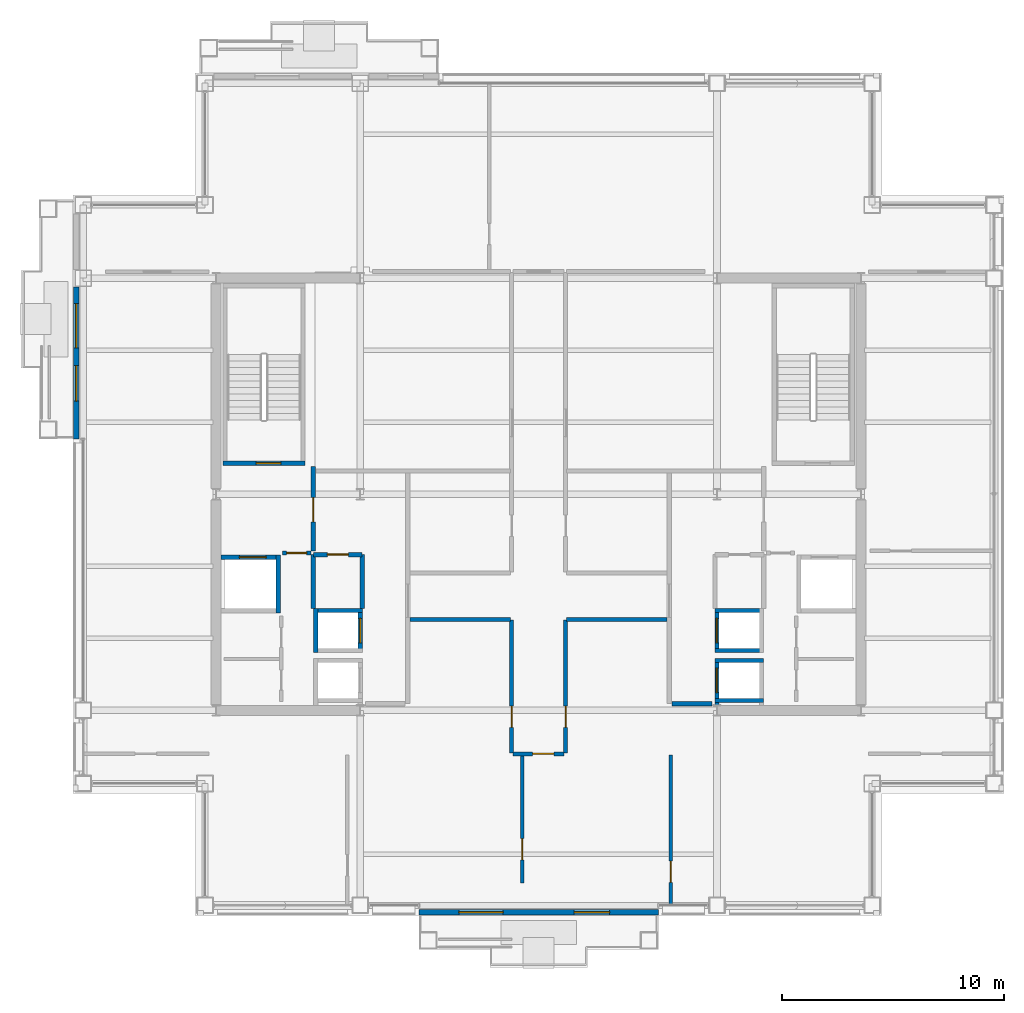
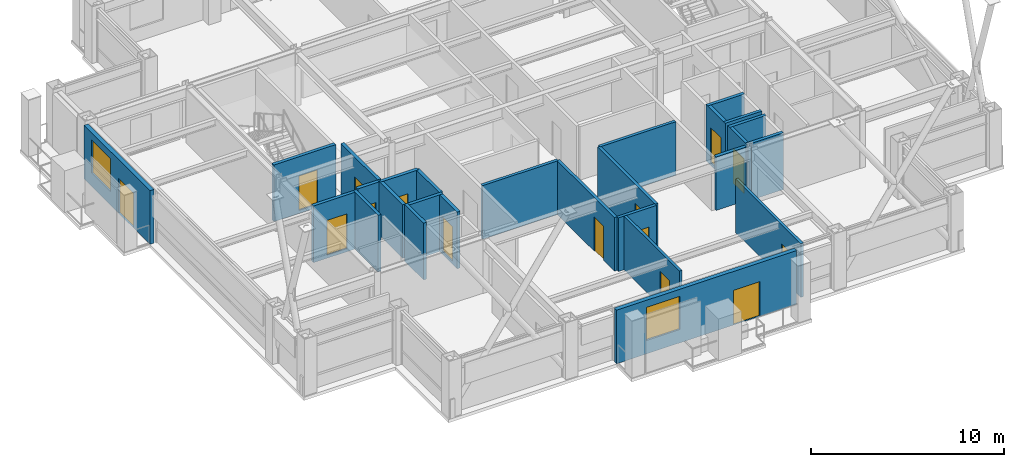
# One storey, part 27 of 32: 27 walls, 15 doors, 2 windows, 17 openings.
"""IFC4 building model written with IfcOpenShell, lengths in metres."""

from ifc_helpers import new_model, si_unit, direction, frame, frame_2d, origin, place, context, subcontext, project, spatial, rectangle, extrude, material, layer, layer_set, type_object, element, fill, save


model = new_model("IFC4")

# Units and contexts
model_context = context("Model", 3, precision=1e-05, world=origin(), true_north=direction((0.0, 1.0)))
body_context = subcontext(model_context, "Body", "Model", "MODEL_VIEW")
ifc_project = project(units=[si_unit("LENGTHUNIT", "METRE"), si_unit("AREAUNIT", "SQUARE_METRE"), si_unit("VOLUMEUNIT", "CUBIC_METRE"), si_unit("PLANEANGLEUNIT", "RADIAN"), si_unit("MASSUNIT", "GRAM", prefix="KILO")], contexts=[model_context])

# Site, building, storey
site_placement = place(None, origin())
site = spatial("IfcSite", under=ifc_project, at=site_placement, CompositionType="ELEMENT")
building_placement = place(site_placement, origin())
building = spatial("IfcBuilding", under=site, at=building_placement, Name="Brelmoor Portico Tower", CompositionType="ELEMENT")
storey_placement = place(building_placement, frame((0.0, 0.0, 162.300048828125)))
storey = spatial("IfcBuildingStorey", under=building, at=storey_placement, Name="L42", CompositionType="ELEMENT", Elevation=162.300048828125)

# Wall, openings, door, window
ifc_material_1 = material(Name="Precast Concrete C40 Insulated Facade Wall", Category="concrete")
ifc_layer_1 = layer(ifc_material_1, 0.25)
ifc_layer_set_1 = layer_set([ifc_layer_1], Name="Precast Concrete C40 Insulated Facade Wall")
wall_type_1 = type_object("IfcWallType", Name="WL-EXT-250", PredefinedType="STANDARD", material=ifc_layer_set_1)
wall_1_placement = place(storey_placement, frame((-5.39990234375, -18.860107421875, 0.0), z_axis=(0.0, 0.0, 1.0), x_axis=(1.0, 0.0, 0.0)))
wall_1 = element("IfcWall", 1, at=wall_1_placement, inside=storey, type_object=wall_type_1, Name="L42 Loggia Threshold Wall S-1", PredefinedType="STANDARD", context=body_context, shape_type="SweptSolid", body=[
    extrude(rectangle(XDim=10.7998046875, YDim=0.25, at=frame_2d((5.39990234375, 0.0))), origin(), (0.0, 0.0, 1.0), 3.39990234375),
])
opening_1_placement = place(wall_1_placement, frame((7.0, 0.0, 0.0)))
opening_1 = element("IfcOpeningElement", 2, at=opening_1_placement, cuts=wall_1, Name="Opening D-TB1", PredefinedType="OPENING", context=body_context, shape_type="SweptSolid", body=[
    extrude(rectangle(XDim=1.60009765625, YDim=2.199951171875, at=frame_2d((0.800048828125, 1.10009765625))), frame((0.0, 0.135009765625, 0.0), z_axis=(0.0, -1.0, 0.0), x_axis=(1.0, 0.0, 0.0)), (0.0, 0.0, 1.0), 0.27001953125),
])
opening_2_placement = place(wall_1_placement, frame((1.800048828125, 0.0, 0.85009765625)))
opening_2 = element("IfcOpeningElement", 3, at=opening_2_placement, cuts=wall_1, Name="Opening W-03", PredefinedType="OPENING", context=body_context, shape_type="SweptSolid", body=[
    extrude(rectangle(XDim=2.0, YDim=2.10009765625, at=frame_2d((1.0, 1.050048828125))), frame((0.0, 0.135009765625, 0.0), z_axis=(0.0, -1.0, 0.0), x_axis=(1.0, 0.0, 0.0)), (0.0, 0.0, 1.0), 0.27001953125),
])
ifc_material_2 = material(Name="Double-Leaf Thermally Broken Terrace Door", Category="aluminium")
door_type_1 = type_object("IfcDoorType", Name="DR-BALCONY-1600", OperationType="NOTDEFINED", PredefinedType="DOOR", material=ifc_material_2)
door_1_placement = place(opening_1_placement, origin())
door_1 = element("IfcDoor", 4, at=door_1_placement, inside=storey, type_object=door_type_1, Name="D-1812 L42 Tree Balcony Double Door S", OperationType="DOUBLE_DOOR_SINGLE_SWING", OverallHeight=2.199951171875, OverallWidth=1.60009765625, PredefinedType="DOOR", context=body_context, shape_type="SweptSolid", body=[
    extrude(rectangle(XDim=1.60009765625, YDim=2.199951171875, at=frame_2d((0.800048828125, 1.10009765625))), frame((0.0, 0.02490234375, 0.0), z_axis=(0.0, -1.0, 0.0), x_axis=(1.0, 0.0, 0.0)), (0.0, 0.0, 1.0), 0.050048828125),
])
fill(opening_1, door_1)
ifc_material_3 = material(Name="Thermally Broken Aluminium Low-E Window", Category="aluminium")
window_type = type_object("IfcWindowType", Name="WN-LOGGIA-2000x2100", PartitioningType="SINGLE_PANEL", PredefinedType="WINDOW", material=ifc_material_3)
window_1_placement = place(opening_2_placement, origin())
window_1 = element("IfcWindow", 5, at=window_1_placement, inside=storey, type_object=window_type, Name="L42 Loggia Window S", OverallHeight=2.10009765625, OverallWidth=2.0, PartitioningType="SINGLE_PANEL", PredefinedType="WINDOW", context=body_context, shape_type="SweptSolid", body=[
    extrude(rectangle(XDim=2.0, YDim=2.10009765625, at=frame_2d((1.0, 1.050048828125))), frame((0.0, 0.030029296875, 0.0), z_axis=(0.0, -1.0, 0.0), x_axis=(1.0, 0.0, 0.0)), (0.0, 0.0, 1.0), 0.06005859375),
])
fill(opening_2, window_1)

wall_2_placement = place(storey_placement, frame((-20.860107421875, 2.5, 0.0), z_axis=(0.0, 0.0, 1.0), x_axis=(0.0, 1.0, 0.0)))
wall_2 = element("IfcWall", 6, at=wall_2_placement, inside=storey, type_object=wall_type_1, Name="L42 Loggia Threshold Wall W-1", PredefinedType="STANDARD", context=body_context, shape_type="SweptSolid", body=[
    extrude(rectangle(XDim=6.85498046875, YDim=0.25, at=frame_2d((3.427490234375, 0.0))), origin(), (0.0, 0.0, 1.0), 3.39990234375),
])
opening_3_placement = place(wall_2_placement, frame((1.699951171875, 0.0, 0.0)))
opening_3 = element("IfcOpeningElement", 7, at=opening_3_placement, cuts=wall_2, Name="Opening D-TB1", PredefinedType="OPENING", context=body_context, shape_type="SweptSolid", body=[
    extrude(rectangle(XDim=1.60009765625, YDim=2.199951171875, at=frame_2d((0.800048828125, 1.10009765625))), frame((0.0, 0.135009765625, 0.0), z_axis=(0.0, -1.0, 0.0), x_axis=(1.0, 0.0, 0.0)), (0.0, 0.0, 1.0), 0.27001953125),
])
opening_4_placement = place(wall_2_placement, frame((4.10009765625, 0.0, 0.85009765625)))
opening_4 = element("IfcOpeningElement", 8, at=opening_4_placement, cuts=wall_2, Name="Opening W-03", PredefinedType="OPENING", context=body_context, shape_type="SweptSolid", body=[
    extrude(rectangle(XDim=2.0, YDim=2.10009765625, at=frame_2d((1.0, 1.050048828125))), frame((0.0, 0.135009765625, 0.0), z_axis=(0.0, -1.0, 0.0), x_axis=(1.0, 0.0, 0.0)), (0.0, 0.0, 1.0), 0.27001953125),
])
door_2_placement = place(opening_3_placement, origin())
door_2 = element("IfcDoor", 9, at=door_2_placement, inside=storey, type_object=door_type_1, Name="D-1813 L42 Tree Balcony Double Door W", OperationType="DOUBLE_DOOR_SINGLE_SWING", OverallHeight=2.199951171875, OverallWidth=1.60009765625, PredefinedType="DOOR", context=body_context, shape_type="SweptSolid", body=[
    extrude(rectangle(XDim=1.60009765625, YDim=2.199951171875, at=frame_2d((0.800048828125, 1.10009765625))), frame((0.0, 0.02490234375, 0.0), z_axis=(0.0, -1.0, 0.0), x_axis=(1.0, 0.0, 0.0)), (0.0, 0.0, 1.0), 0.050048828125),
])
fill(opening_3, door_2)
window_2_placement = place(opening_4_placement, origin())
window_2 = element("IfcWindow", 10, at=window_2_placement, inside=storey, type_object=window_type, Name="L42 Loggia Window W", OverallHeight=2.10009765625, OverallWidth=2.0, PartitioningType="SINGLE_PANEL", PredefinedType="WINDOW", context=body_context, shape_type="SweptSolid", body=[
    extrude(rectangle(XDim=2.0, YDim=2.10009765625, at=frame_2d((1.0, 1.050048828125))), frame((0.0, 0.030029296875, 0.0), z_axis=(0.0, -1.0, 0.0), x_axis=(1.0, 0.0, 0.0)), (0.0, 0.0, 1.0), 0.06005859375),
])
fill(opening_4, window_2)

# Wall, opening, door
ifc_material_4 = material(Name="Twin-Frame Acoustic Partition", Category="gypsum")
ifc_layer_2 = layer(ifc_material_4, 0.159912109375)
ifc_layer_set_2 = layer_set([ifc_layer_2], Name="Twin-Frame Acoustic Partition")
wall_type_2 = type_object("IfcWallType", Name="WL-PART-160", PredefinedType="PARTITIONING", material=ifc_layer_set_2)
wall_3_placement = place(storey_placement, frame((-0.72998046875, -17.550048828125, 0.0), z_axis=(0.0, 0.0, 1.0), x_axis=(0.0, 1.0, 0.0)))
wall_3 = element("IfcWall", 11, at=wall_3_placement, inside=storey, type_object=wall_type_2, Name="L42 South Suite Partition 2", PredefinedType="PARTITIONING", context=body_context, shape_type="SweptSolid", body=[
    extrude(rectangle(XDim=5.780029296875, YDim=0.159912109375, at=frame_2d((2.89013671875, 0.0))), origin(), (0.0, 0.0, 1.0), 3.39990234375),
])
opening_5_placement = place(wall_3_placement, frame((1.050048828125, 0.0, 0.0)))
opening_5 = element("IfcOpeningElement", 12, at=opening_5_placement, cuts=wall_3, Name="Opening D-IN2", PredefinedType="OPENING", context=body_context, shape_type="SweptSolid", body=[
    extrude(rectangle(XDim=0.9599609375, YDim=2.179931640625, at=frame_2d((0.47998046875, 1.08984375))), frame((0.0, 0.08984375, 0.0), z_axis=(0.0, -1.0, 0.0), x_axis=(1.0, 0.0, 0.0)), (0.0, 0.0, 1.0), 0.179931640625),
])
ifc_material_5 = material(Name="Lacquered Timber Suite Door", Category="wood")
door_type_2 = type_object("IfcDoorType", Name="DR-INT-950", OperationType="NOTDEFINED", PredefinedType="DOOR", material=ifc_material_5)
door_3_placement = place(opening_5_placement, origin())
door_3 = element("IfcDoor", 13, at=door_3_placement, inside=storey, type_object=door_type_2, Name="D-1805 L42 South Suite Connecting Door 2", OperationType="SINGLE_SWING_LEFT", OverallHeight=2.179931640625, OverallWidth=0.9599609375, PredefinedType="DOOR", context=body_context, shape_type="SweptSolid", body=[
    extrude(rectangle(XDim=0.9599609375, YDim=2.179931640625, at=frame_2d((0.47998046875, 1.08984375))), frame((0.0, 0.02490234375, 0.0), z_axis=(0.0, -1.0, 0.0), x_axis=(1.0, 0.0, 0.0)), (0.0, 0.0, 1.0), 0.050048828125),
])
fill(opening_5, door_3)

wall_4_placement = place(storey_placement, frame((5.969970703125, -18.56005859375, 0.0), z_axis=(0.0, 0.0, 1.0), x_axis=(0.0, 1.0, 0.0)))
wall_4 = element("IfcWall", 14, at=wall_4_placement, inside=storey, type_object=wall_type_2, Name="L42 South Suite Partition 3", PredefinedType="PARTITIONING", context=body_context, shape_type="SweptSolid", body=[
    extrude(rectangle(XDim=6.7900390625, YDim=0.159912109375, at=frame_2d((3.39501953125, 0.0))), origin(), (0.0, 0.0, 1.0), 3.39990234375),
])
opening_6_placement = place(wall_4_placement, frame((1.050048828125, 0.0, 0.0)))
opening_6 = element("IfcOpeningElement", 15, at=opening_6_placement, cuts=wall_4, Name="Opening D-IN2", PredefinedType="OPENING", context=body_context, shape_type="SweptSolid", body=[
    extrude(rectangle(XDim=0.9599609375, YDim=2.179931640625, at=frame_2d((0.47998046875, 1.08984375))), frame((0.0, 0.08984375, 0.0), z_axis=(0.0, -1.0, 0.0), x_axis=(1.0, 0.0, 0.0)), (0.0, 0.0, 1.0), 0.179931640625),
])
door_4_placement = place(opening_6_placement, origin())
door_4 = element("IfcDoor", 16, at=door_4_placement, inside=storey, type_object=door_type_2, Name="D-1806 L42 South Suite Connecting Door 3", OperationType="SINGLE_SWING_RIGHT", OverallHeight=2.179931640625, OverallWidth=0.9599609375, PredefinedType="DOOR", context=body_context, shape_type="SweptSolid", body=[
    extrude(rectangle(XDim=0.9599609375, YDim=2.179931640625, at=frame_2d((0.47998046875, 1.08984375))), frame((0.0, 0.02490234375, 0.0), z_axis=(0.0, -1.0, 0.0), x_axis=(1.0, 0.0, 0.0)), (0.0, 0.0, 1.0), 0.050048828125),
])
fill(opening_6, door_4)

ifc_material_6 = material(Name="Acoustic Corridor Fire Partition", Category="gypsum")
ifc_layer_3 = layer(ifc_material_6, 0.179931640625)
ifc_layer_set_3 = layer_set([ifc_layer_3], Name="Acoustic Corridor Fire Partition")
wall_type_3 = type_object("IfcWallType", Name="WL-PART-180", PredefinedType="PARTITIONING", material=ifc_layer_set_3)
wall_5_placement = place(storey_placement, frame((-1.219970703125, -11.669921875, 0.0), z_axis=(0.0, 0.0, 1.0), x_axis=(0.0, 1.0, 0.0)))
wall_5 = element("IfcWall", 17, at=wall_5_placement, inside=storey, type_object=wall_type_3, Name="L42 South Cross West Wall", PredefinedType="PARTITIONING", context=body_context, shape_type="SweptSolid", body=[
    extrude(rectangle(XDim=5.989990234375, YDim=0.179931640625, at=frame_2d((2.9951171875, 0.0))), origin(), (0.0, 0.0, 1.0), 3.39990234375),
])
opening_7_placement = place(wall_5_placement, frame((1.14990234375, 0.0, 0.0)))
opening_7 = element("IfcOpeningElement", 18, at=opening_7_placement, cuts=wall_5, Name="Opening D-IN2", PredefinedType="OPENING", context=body_context, shape_type="SweptSolid", body=[
    extrude(rectangle(XDim=0.9599609375, YDim=2.179931640625, at=frame_2d((0.47998046875, 1.08984375))), frame((0.0, 0.099853515625, 0.0), z_axis=(0.0, -1.0, 0.0), x_axis=(1.0, 0.0, 0.0)), (0.0, 0.0, 1.0), 0.199951171875),
])
door_5_placement = place(opening_7_placement, origin())
door_5 = element("IfcDoor", 19, at=door_5_placement, inside=storey, type_object=door_type_2, Name="D-1784 L42 South-West Archive Room Door", OperationType="SINGLE_SWING_RIGHT", OverallHeight=2.179931640625, OverallWidth=0.9599609375, PredefinedType="DOOR", context=body_context, shape_type="SweptSolid", body=[
    extrude(rectangle(XDim=0.9599609375, YDim=2.179931640625, at=frame_2d((0.47998046875, 1.08984375))), frame((0.0, 0.02490234375, 0.0), z_axis=(0.0, -1.0, 0.0), x_axis=(1.0, 0.0, 0.0)), (0.0, 0.0, 1.0), 0.050048828125),
])
fill(opening_7, door_5)

wall_6_placement = place(storey_placement, frame((1.219970703125, -11.669921875, 0.0), z_axis=(0.0, 0.0, 1.0), x_axis=(0.0, 1.0, 0.0)))
wall_6 = element("IfcWall", 20, at=wall_6_placement, inside=storey, type_object=wall_type_3, Name="L42 South Cross East Wall", PredefinedType="PARTITIONING", context=body_context, shape_type="SweptSolid", body=[
    extrude(rectangle(XDim=5.989990234375, YDim=0.179931640625, at=frame_2d((2.9951171875, 0.0))), origin(), (0.0, 0.0, 1.0), 3.39990234375),
])
opening_8_placement = place(wall_6_placement, frame((1.14990234375, 0.0, 0.0)))
opening_8 = element("IfcOpeningElement", 21, at=opening_8_placement, cuts=wall_6, Name="Opening D-IN2", PredefinedType="OPENING", context=body_context, shape_type="SweptSolid", body=[
    extrude(rectangle(XDim=0.9599609375, YDim=2.179931640625, at=frame_2d((0.47998046875, 1.08984375))), frame((0.0, 0.099853515625, 0.0), z_axis=(0.0, -1.0, 0.0), x_axis=(1.0, 0.0, 0.0)), (0.0, 0.0, 1.0), 0.199951171875),
])
door_6_placement = place(opening_8_placement, origin())
door_6 = element("IfcDoor", 22, at=door_6_placement, inside=storey, type_object=door_type_2, Name="D-1783 L42 South-East Partner Office Door", OperationType="SINGLE_SWING_LEFT", OverallHeight=2.179931640625, OverallWidth=0.9599609375, PredefinedType="DOOR", context=body_context, shape_type="SweptSolid", body=[
    extrude(rectangle(XDim=0.9599609375, YDim=2.179931640625, at=frame_2d((0.47998046875, 1.08984375))), frame((0.0, 0.02490234375, 0.0), z_axis=(0.0, -1.0, 0.0), x_axis=(1.0, 0.0, 0.0)), (0.0, 0.0, 1.0), 0.050048828125),
])
fill(opening_8, door_6)

# Walls
for number, where, z_axis, x_axis, name in (
    (23, (-5.800048828125, -5.64990234375, 0.0), (0.0, 0.0, 1.0), (1.0, 0.0, 0.0), "L42 South-West Chamber Top Wall"),
    (24, (1.260009765625, -5.64990234375, 0.0), (0.0, 0.0, 1.0), (1.0, 0.0, 0.0), "L42 South-East Chamber Top Wall"),
):
    element("IfcWall", number, at=place(storey_placement, frame(where, z_axis=z_axis, x_axis=x_axis)), inside=storey, type_object=wall_type_3, Name=name, PredefinedType="PARTITIONING", context=body_context, shape_type="SweptSolid", body=[
        extrude(rectangle(XDim=4.5400390625, YDim=0.179931640625, at=frame_2d((2.27001953125, 0.0))), origin(), (0.0, 0.0, 1.0), 3.39990234375),
    ])

# Wall, opening, door
wall_7_placement = place(storey_placement, frame((-1.14990234375, -11.7099609375, 0.0), z_axis=(0.0, 0.0, 1.0), x_axis=(1.0, 0.0, 0.0)))
wall_7 = element("IfcWall", 25, at=wall_7_placement, inside=storey, type_object=wall_type_3, Name="L42 South Corridor Partition", PredefinedType="PARTITIONING", context=body_context, shape_type="SweptSolid", body=[
    extrude(rectangle(XDim=2.2998046875, YDim=0.179931640625, at=frame_2d((1.14990234375, 0.0))), origin(), (0.0, 0.0, 1.0), 3.39990234375),
])
opening_9_placement = place(wall_7_placement, frame((0.8798828125, 0.0, 0.0)))
opening_9 = element("IfcOpeningElement", 26, at=opening_9_placement, cuts=wall_7, Name="Opening D-IN2", PredefinedType="OPENING", context=body_context, shape_type="SweptSolid", body=[
    extrude(rectangle(XDim=0.9599609375, YDim=2.179931640625, at=frame_2d((0.47998046875, 1.08984375))), frame((0.0, 0.099853515625, 0.0), z_axis=(0.0, -1.0, 0.0), x_axis=(1.0, 0.0, 0.0)), (0.0, 0.0, 1.0), 0.199951171875),
])
door_7_placement = place(opening_9_placement, origin())
door_7 = element("IfcDoor", 27, at=door_7_placement, inside=storey, type_object=door_type_2, Name="D-1803 L42 South Reading Library 3 Door", OperationType="SINGLE_SWING_LEFT", OverallHeight=2.179931640625, OverallWidth=0.9599609375, PredefinedType="DOOR", context=body_context, shape_type="SweptSolid", body=[
    extrude(rectangle(XDim=0.9599609375, YDim=2.179931640625, at=frame_2d((0.47998046875, 1.08984375))), frame((0.0, 0.02490234375, 0.0), z_axis=(0.0, -1.0, 0.0), x_axis=(1.0, 0.0, 0.0)), (0.0, 0.0, 1.0), 0.050048828125),
])
fill(opening_9, door_7)

ifc_material_7 = material(Name="Double-Stud Gypsum Fire Partition", Category="gypsum")
ifc_layer_4 = layer(ifc_material_7, 0.199951171875)
ifc_layer_set_4 = layer_set([ifc_layer_4], Name="Double-Stud Gypsum Fire Partition")
wall_type_4 = type_object("IfcWallType", Name="WL-PART-200", PredefinedType="PARTITIONING", material=ifc_layer_set_4)
wall_8_placement = place(storey_placement, frame((-10.159912109375, -2.550048828125, 0.0), z_axis=(0.0, 0.0, 1.0), x_axis=(0.0, 1.0, 0.0)))
wall_8 = element("IfcWall", 28, at=wall_8_placement, inside=storey, type_object=wall_type_4, Name="L42 W Firefighting Lobby Wall", PredefinedType="PARTITIONING", context=body_context, shape_type="SweptSolid", body=[
    extrude(rectangle(XDim=3.800048828125, YDim=0.199951171875, at=frame_2d((1.89990234375, 0.0))), origin(), (0.0, 0.0, 1.0), 3.39990234375),
])
opening_10_placement = place(wall_8_placement, frame((1.300048828125, 0.0, 0.0)))
opening_10 = element("IfcOpeningElement", 29, at=opening_10_placement, cuts=wall_8, Name="Opening D-FR1", PredefinedType="OPENING", context=body_context, shape_type="SweptSolid", body=[
    extrude(rectangle(XDim=1.10009765625, YDim=2.14990234375, at=frame_2d((0.550048828125, 1.074951171875))), frame((0.0, 0.10986328125, 0.0), z_axis=(0.0, -1.0, 0.0), x_axis=(1.0, 0.0, 0.0)), (0.0, 0.0, 1.0), 0.219970703125),
])
ifc_material_8 = material(Name="Painted Galvanised Steel Fire Door", Category="steel")
door_type_3 = type_object("IfcDoorType", Name="DR-FIRE-1100", OperationType="NOTDEFINED", PredefinedType="DOOR", material=ifc_material_8)
door_8_placement = place(opening_10_placement, origin())
door_8 = element("IfcDoor", 30, at=door_8_placement, inside=storey, type_object=door_type_3, Name="D-1796 L42 W Firefighting Lobby Door", OperationType="SINGLE_SWING_RIGHT", OverallHeight=2.14990234375, OverallWidth=1.10009765625, PredefinedType="DOOR", context=body_context, shape_type="SweptSolid", body=[
    extrude(rectangle(XDim=1.10009765625, YDim=2.14990234375, at=frame_2d((0.550048828125, 1.074951171875))), frame((0.0, 0.02490234375, 0.0), z_axis=(0.0, -1.0, 0.0), x_axis=(1.0, 0.0, 0.0)), (0.0, 0.0, 1.0), 0.050048828125),
])
fill(opening_10, door_8)

wall_9_placement = place(storey_placement, frame((-10.280029296875, -2.64990234375, 0.0), z_axis=(0.0, 0.0, 1.0), x_axis=(-1.0, 0.0, 0.0)))
wall_9 = element("IfcWall", 31, at=wall_9_placement, inside=storey, type_object=wall_type_4, Name="L42 W Firefighting Lobby South Wall", PredefinedType="PARTITIONING", context=body_context, shape_type="SweptSolid", body=[
    extrude(rectangle(XDim=1.27001953125, YDim=0.199951171875, at=frame_2d((0.635009765625, 0.0))), origin(), (0.0, 0.0, 1.0), 3.39990234375),
])
opening_11_placement = place(wall_9_placement, frame((0.18505859375, 0.0, 0.0)))
opening_11 = element("IfcOpeningElement", 32, at=opening_11_placement, cuts=wall_9, Name="Opening D-IN1", PredefinedType="OPENING", context=body_context, shape_type="SweptSolid", body=[
    extrude(rectangle(XDim=0.89990234375, YDim=2.14990234375, at=frame_2d((0.449951171875, 1.074951171875))), frame((0.0, 0.10986328125, 0.0), z_axis=(0.0, -1.0, 0.0), x_axis=(1.0, 0.0, 0.0)), (0.0, 0.0, 1.0), 0.219970703125),
])
door_type_4 = type_object("IfcDoorType", Name="DR-INT-900", OperationType="NOTDEFINED", PredefinedType="DOOR", material=ifc_material_5)
door_9_placement = place(opening_11_placement, origin())
door_9 = element("IfcDoor", 33, at=door_9_placement, inside=storey, type_object=door_type_4, Name="D-1790 L42 W Core Service Vestibule Door", OperationType="SINGLE_SWING_LEFT", OverallHeight=2.14990234375, OverallWidth=0.89990234375, PredefinedType="DOOR", context=body_context, shape_type="SweptSolid", body=[
    extrude(rectangle(XDim=0.89990234375, YDim=2.14990234375, at=frame_2d((0.449951171875, 1.074951171875))), frame((0.0, 0.02490234375, 0.0), z_axis=(0.0, -1.0, 0.0), x_axis=(1.0, 0.0, 0.0)), (0.0, 0.0, 1.0), 0.050048828125),
])
fill(opening_11, door_9)

wall_10_placement = place(storey_placement, frame((-7.9599609375, -2.719970703125, 0.0), z_axis=(0.0, 0.0, 1.0), x_axis=(-1.0, 0.0, 0.0)))
wall_10 = element("IfcWall", 34, at=wall_10_placement, inside=storey, type_object=wall_type_4, Name="L42 W Electrical Switchgear Closet Wall", PredefinedType="PARTITIONING", context=body_context, shape_type="SweptSolid", body=[
    extrude(rectangle(XDim=2.199951171875, YDim=0.199951171875, at=frame_2d((1.10009765625, 0.0))), origin(), (0.0, 0.0, 1.0), 3.39990234375),
])
opening_12_placement = place(wall_10_placement, frame((0.6201171875, 0.0, 0.0)))
opening_12 = element("IfcOpeningElement", 35, at=opening_12_placement, cuts=wall_10, Name="Opening D-FR4", PredefinedType="OPENING", context=body_context, shape_type="SweptSolid", body=[
    extrude(rectangle(XDim=0.949951171875, YDim=2.10009765625, at=frame_2d((0.47509765625, 1.050048828125))), frame((0.0, 0.10986328125, 0.0), z_axis=(0.0, -1.0, 0.0), x_axis=(1.0, 0.0, 0.0)), (0.0, 0.0, 1.0), 0.219970703125),
])
ifc_material_9 = material(Name="Painted Galvanised Steel Riser Door", Category="steel")
door_type_5 = type_object("IfcDoorType", Name="DR-FIRE-950", OperationType="NOTDEFINED", PredefinedType="DOOR", material=ifc_material_9)
door_10_placement = place(opening_12_placement, origin())
door_10 = element("IfcDoor", 36, at=door_10_placement, inside=storey, type_object=door_type_5, Name="D-1794 L42 W Electrical Switchgear Closet Door", OperationType="SINGLE_SWING_RIGHT", OverallHeight=2.10009765625, OverallWidth=0.949951171875, PredefinedType="DOOR", context=body_context, shape_type="SweptSolid", body=[
    extrude(rectangle(XDim=0.949951171875, YDim=2.10009765625, at=frame_2d((0.47509765625, 1.050048828125))), frame((0.0, 0.02490234375, 0.0), z_axis=(0.0, -1.0, 0.0), x_axis=(1.0, 0.0, 0.0)), (0.0, 0.0, 1.0), 0.050048828125),
])
fill(opening_12, door_10)

# Walls
for number, where, z_axis, x_axis, name in (
    (37, (-7.9599609375, -5.159912109375, 0.0), (0.0, 0.0, 1.0), (0.0, 1.0, 0.0), "L42 W Electrical Switchgear Closet Inner Wall"),
    (38, (-10.159912109375, -5.159912109375, 0.0), (0.0, 0.0, 1.0), (0.0, 1.0, 0.0), "L42 W Electrical Switchgear Closet Outer Wall"),
):
    element("IfcWall", number, at=place(storey_placement, frame(where, z_axis=z_axis, x_axis=x_axis)), inside=storey, type_object=wall_type_4, Name=name, PredefinedType="PARTITIONING", context=body_context, shape_type="SweptSolid", body=[
        extrude(rectangle(XDim=2.43994140625, YDim=0.199951171875, at=frame_2d((1.219970703125, 0.0))), origin(), (0.0, 0.0, 1.0), 3.39990234375),
    ])
wall_11_placement = place(storey_placement, frame((6.02001953125, -9.449951171875, 0.0), z_axis=(0.0, 0.0, 1.0), x_axis=(1.0, 0.0, 0.0)))
element("IfcWall", 39, at=wall_11_placement, inside=storey, type_object=wall_type_4, Name="L42 E Lift Lobby South End Wall", PredefinedType="PARTITIONING", context=body_context, shape_type="SweptSolid", body=[
    extrude(rectangle(XDim=1.800048828125, YDim=0.199951171875, at=frame_2d((0.89990234375, 0.0))), origin(), (0.0, 0.0, 1.0), 3.39990234375),
])

# Wall, opening, door
ifc_material_10 = material(Name="Precast Concrete C40", Category="concrete")
ifc_layer_5 = layer(ifc_material_10, 0.18994140625)
ifc_layer_set_5 = layer_set([ifc_layer_5], Name="Precast Concrete C40")
wall_type_5 = type_object("IfcWallType", Name="WL-SHAFT-180", PredefinedType="SOLIDWALL", material=ifc_layer_set_5)
wall_12_placement = place(storey_placement, frame((-8.044921875, -7.14990234375, -0.199951171875), z_axis=(0.0, 0.0, 1.0), x_axis=(0.0, 1.0, 0.0)))
wall_12 = element("IfcWall", 40, at=wall_12_placement, inside=storey, type_object=wall_type_5, Name="L42 Lift PH2 Hoistway Front Wall", PredefinedType="SOLIDWALL", context=body_context, shape_type="SweptSolid", body=[
    extrude(rectangle(XDim=2.0, YDim=0.18994140625, at=frame_2d((1.0, 0.0))), origin(), (0.0, 0.0, 1.0), 3.599853515625),
])
opening_13_placement = place(wall_12_placement, frame((0.449951171875, 0.0, 0.199951171875)))
opening_13 = element("IfcOpeningElement", 41, at=opening_13_placement, cuts=wall_12, Name="Opening LD-01", PredefinedType="OPENING", context=body_context, shape_type="SweptSolid", body=[
    extrude(rectangle(XDim=1.10009765625, YDim=2.199951171875, at=frame_2d((0.550048828125, 1.10009765625))), frame((0.0, 0.10498046875, 0.0), z_axis=(0.0, -1.0, 0.0), x_axis=(1.0, 0.0, 0.0)), (0.0, 0.0, 1.0), 0.2099609375),
])
ifc_material_11 = material(Name="Brushed Stainless Steel Sliding Lift Door", Category="steel")
door_type_6 = type_object("IfcDoorType", Name="DR-LIFT-1100", OperationType="NOTDEFINED", PredefinedType="DOOR", material=ifc_material_11)
door_11_placement = place(opening_13_placement, origin())
door_11 = element("IfcDoor", 42, at=door_11_placement, inside=storey, type_object=door_type_6, Name="D-1818 L42 Lift PH2 Sliding Landing Door", OperationType="SLIDING_TO_LEFT", OverallHeight=2.199951171875, OverallWidth=1.10009765625, PredefinedType="DOOR", context=body_context, shape_type="SweptSolid", body=[
    extrude(rectangle(XDim=1.10009765625, YDim=2.199951171875, at=frame_2d((0.550048828125, 1.10009765625))), frame((0.0, 0.02490234375, 0.0), z_axis=(0.0, -1.0, 0.0), x_axis=(1.0, 0.0, 0.0)), (0.0, 0.0, 1.0), 0.050048828125),
])
fill(opening_13, door_11)

# Walls
wall_13_placement = place(storey_placement, frame((-10.054931640625, -7.14990234375, -0.199951171875), z_axis=(0.0, 0.0, 1.0), x_axis=(0.0, 1.0, 0.0)))
element("IfcWall", 43, at=wall_13_placement, inside=storey, type_object=wall_type_5, Name="L42 Lift PH2 Hoistway Back Wall", PredefinedType="SOLIDWALL", context=body_context, shape_type="SweptSolid", body=[
    extrude(rectangle(XDim=2.0, YDim=0.18994140625, at=frame_2d((1.0, 0.0))), origin(), (0.0, 0.0, 1.0), 3.599853515625),
])
wall_14_placement = place(storey_placement, frame((-10.14990234375, -5.2451171875, -0.199951171875), z_axis=(0.0, 0.0, 1.0), x_axis=(1.0, 0.0, 0.0)))
element("IfcWall", 44, at=wall_14_placement, inside=storey, type_object=wall_type_5, Name="L42 Lift PH2 Hoistway North Wall", PredefinedType="SOLIDWALL", context=body_context, shape_type="SweptSolid", body=[
    extrude(rectangle(XDim=2.199951171875, YDim=0.18994140625, at=frame_2d((1.10009765625, 0.0))), origin(), (0.0, 0.0, 1.0), 3.599853515625),
])

# Wall, opening, door
wall_15_placement = place(storey_placement, frame((8.044921875, -9.52001953125, -0.199951171875), z_axis=(0.0, 0.0, 1.0), x_axis=(0.0, 1.0, 0.0)))
wall_15 = element("IfcWall", 45, at=wall_15_placement, inside=storey, type_object=wall_type_5, Name="L42 Lift PH3 Hoistway Front Wall", PredefinedType="SOLIDWALL", context=body_context, shape_type="SweptSolid", body=[
    extrude(rectangle(XDim=2.1201171875, YDim=0.18994140625, at=frame_2d((1.06005859375, 0.0))), origin(), (0.0, 0.0, 1.0), 3.599853515625),
])
opening_14_placement = place(wall_15_placement, frame((0.570068359375, 0.0, 0.199951171875)))
opening_14 = element("IfcOpeningElement", 46, at=opening_14_placement, cuts=wall_15, Name="Opening LD-01", PredefinedType="OPENING", context=body_context, shape_type="SweptSolid", body=[
    extrude(rectangle(XDim=1.10009765625, YDim=2.199951171875, at=frame_2d((0.550048828125, 1.10009765625))), frame((0.0, 0.10498046875, 0.0), z_axis=(0.0, -1.0, 0.0), x_axis=(1.0, 0.0, 0.0)), (0.0, 0.0, 1.0), 0.2099609375),
])
door_12_placement = place(opening_14_placement, origin())
door_12 = element("IfcDoor", 47, at=door_12_placement, inside=storey, type_object=door_type_6, Name="D-1819 L42 Lift PH3 Sliding Landing Door", OperationType="SLIDING_TO_LEFT", OverallHeight=2.199951171875, OverallWidth=1.10009765625, PredefinedType="DOOR", context=body_context, shape_type="SweptSolid", body=[
    extrude(rectangle(XDim=1.10009765625, YDim=2.199951171875, at=frame_2d((0.550048828125, 1.10009765625))), frame((0.0, 0.02490234375, 0.0), z_axis=(0.0, -1.0, 0.0), x_axis=(1.0, 0.0, 0.0)), (0.0, 0.0, 1.0), 0.050048828125),
])
fill(opening_14, door_12)

# Walls
for number, where, z_axis, x_axis, name in (
    (48, (7.949951171875, -7.4951171875, -0.199951171875), (0.0, 0.0, 1.0), (1.0, 0.0, 0.0), "L42 Lift PH3 Hoistway North Wall"),
    (49, (7.949951171875, -9.304931640625, -0.199951171875), (0.0, 0.0, 1.0), (1.0, 0.0, 0.0), "L42 Lift PH3 Hoistway South Wall"),
):
    element("IfcWall", number, at=place(storey_placement, frame(where, z_axis=z_axis, x_axis=x_axis)), inside=storey, type_object=wall_type_5, Name=name, PredefinedType="SOLIDWALL", context=body_context, shape_type="SweptSolid", body=[
        extrude(rectangle(XDim=2.199951171875, YDim=0.18994140625, at=frame_2d((1.10009765625, 0.0))), origin(), (0.0, 0.0, 1.0), 3.599853515625),
    ])

# Wall, opening, door
wall_16_placement = place(storey_placement, frame((8.044921875, -7.14990234375, -0.199951171875), z_axis=(0.0, 0.0, 1.0), x_axis=(0.0, 1.0, 0.0)))
wall_16 = element("IfcWall", 50, at=wall_16_placement, inside=storey, type_object=wall_type_5, Name="L42 Lift PH4 Hoistway Front Wall", PredefinedType="SOLIDWALL", context=body_context, shape_type="SweptSolid", body=[
    extrude(rectangle(XDim=2.0, YDim=0.18994140625, at=frame_2d((1.0, 0.0))), origin(), (0.0, 0.0, 1.0), 3.599853515625),
])
opening_15_placement = place(wall_16_placement, frame((0.449951171875, 0.0, 0.199951171875)))
opening_15 = element("IfcOpeningElement", 51, at=opening_15_placement, cuts=wall_16, Name="Opening LD-01", PredefinedType="OPENING", context=body_context, shape_type="SweptSolid", body=[
    extrude(rectangle(XDim=1.10009765625, YDim=2.199951171875, at=frame_2d((0.550048828125, 1.10009765625))), frame((0.0, 0.10498046875, 0.0), z_axis=(0.0, -1.0, 0.0), x_axis=(1.0, 0.0, 0.0)), (0.0, 0.0, 1.0), 0.2099609375),
])
door_13_placement = place(opening_15_placement, origin())
door_13 = element("IfcDoor", 52, at=door_13_placement, inside=storey, type_object=door_type_6, Name="D-1820 L42 Lift PH4 Sliding Landing Door", OperationType="SLIDING_TO_LEFT", OverallHeight=2.199951171875, OverallWidth=1.10009765625, PredefinedType="DOOR", context=body_context, shape_type="SweptSolid", body=[
    extrude(rectangle(XDim=1.10009765625, YDim=2.199951171875, at=frame_2d((0.550048828125, 1.10009765625))), frame((0.0, 0.02490234375, 0.0), z_axis=(0.0, -1.0, 0.0), x_axis=(1.0, 0.0, 0.0)), (0.0, 0.0, 1.0), 0.050048828125),
])
fill(opening_15, door_13)

# Walls
for number, where, z_axis, x_axis, name in (
    (53, (7.949951171875, -5.2451171875, -0.199951171875), (0.0, 0.0, 1.0), (1.0, 0.0, 0.0), "L42 Lift PH4 Hoistway North Wall"),
    (54, (7.949951171875, -7.054931640625, -0.199951171875), (0.0, 0.0, 1.0), (1.0, 0.0, 0.0), "L42 Lift PH4 Hoistway South Wall"),
):
    element("IfcWall", number, at=place(storey_placement, frame(where, z_axis=z_axis, x_axis=x_axis)), inside=storey, type_object=wall_type_5, Name=name, PredefinedType="SOLIDWALL", context=body_context, shape_type="SweptSolid", body=[
        extrude(rectangle(XDim=2.199951171875, YDim=0.18994140625, at=frame_2d((1.10009765625, 0.0))), origin(), (0.0, 0.0, 1.0), 3.599853515625),
    ])

# Wall, opening, door
wall_17_placement = place(storey_placement, frame((-14.330078125, -2.844970703125, -0.199951171875), z_axis=(0.0, 0.0, 1.0), x_axis=(1.0, 0.0, 0.0)))
wall_17 = element("IfcWall", 55, at=wall_17_placement, inside=storey, type_object=wall_type_5, Name="L42 Lift FF1 Hoistway Front Wall", PredefinedType="SOLIDWALL", context=body_context, shape_type="SweptSolid", body=[
    extrude(rectangle(XDim=2.68017578125, YDim=0.18994140625, at=frame_2d((1.340087890625, 0.0))), origin(), (0.0, 0.0, 1.0), 3.599853515625),
])
opening_16_placement = place(wall_17_placement, frame((0.830078125, 0.0, 0.199951171875)))
opening_16 = element("IfcOpeningElement", 56, at=opening_16_placement, cuts=wall_17, Name="Opening LD-02", PredefinedType="OPENING", context=body_context, shape_type="SweptSolid", body=[
    extrude(rectangle(XDim=1.199951171875, YDim=2.199951171875, at=frame_2d((0.60009765625, 1.10009765625))), frame((0.0, 0.10498046875, 0.0), z_axis=(0.0, -1.0, 0.0), x_axis=(1.0, 0.0, 0.0)), (0.0, 0.0, 1.0), 0.2099609375),
])
ifc_material_12 = material(Name="Brushed Stainless Steel Firefighting Lift Door", Category="steel")
door_type_7 = type_object("IfcDoorType", Name="DR-LIFT-1200", OperationType="NOTDEFINED", PredefinedType="DOOR", material=ifc_material_12)
door_14_placement = place(opening_16_placement, origin())
door_14 = element("IfcDoor", 57, at=door_14_placement, inside=storey, type_object=door_type_7, Name="D-1815 L42 Lift FF1 Sliding Landing Door", OperationType="SLIDING_TO_LEFT", OverallHeight=2.199951171875, OverallWidth=1.199951171875, PredefinedType="DOOR", context=body_context, shape_type="SweptSolid", body=[
    extrude(rectangle(XDim=1.199951171875, YDim=2.199951171875, at=frame_2d((0.60009765625, 1.10009765625))), frame((0.0, 0.02490234375, 0.0), z_axis=(0.0, -1.0, 0.0), x_axis=(1.0, 0.0, 0.0)), (0.0, 0.0, 1.0), 0.050048828125),
])
fill(opening_16, door_14)

# Wall
wall_18_placement = place(storey_placement, frame((-11.7451171875, -5.35009765625, -0.199951171875), z_axis=(0.0, 0.0, 1.0), x_axis=(0.0, 1.0, 0.0)))
element("IfcWall", 58, at=wall_18_placement, inside=storey, type_object=wall_type_5, Name="L42 Firefighting Lift FF1 Inner Wall", PredefinedType="SOLIDWALL", context=body_context, shape_type="SweptSolid", body=[
    extrude(rectangle(XDim=2.60009765625, YDim=0.18994140625, at=frame_2d((1.300048828125, 0.0))), origin(), (0.0, 0.0, 1.0), 3.599853515625),
])

# Wall, opening, door
ifc_material_13 = material(Name="Concrete C40", Category="concrete")
ifc_layer_6 = layer(ifc_material_13, 0.199951171875)
ifc_layer_set_6 = layer_set([ifc_layer_6], Name="Concrete C40")
wall_type_6 = type_object("IfcWallType", Name="WL-SHAFT-RC200", PredefinedType="SOLIDWALL", material=ifc_layer_set_6)
wall_19_placement = place(storey_placement, frame((-14.25, 1.39990234375, -0.199951171875), z_axis=(0.0, 0.0, 1.0), x_axis=(1.0, 0.0, 0.0)))
wall_19 = element("IfcWall", 59, at=wall_19_placement, inside=storey, type_object=wall_type_6, Name="L42 ST-W Structural Stair Wall S", PredefinedType="SOLIDWALL", context=body_context, shape_type="SweptSolid", body=[
    extrude(rectangle(XDim=3.719970703125, YDim=0.199951171875, at=frame_2d((1.85986328125, 0.0))), origin(), (0.0, 0.0, 1.0), 3.599853515625),
])
opening_17_placement = place(wall_19_placement, frame((1.5, 0.0, 0.199951171875)))
opening_17 = element("IfcOpeningElement", 60, at=opening_17_placement, cuts=wall_19, Name="Opening D-ST1", PredefinedType="OPENING", context=body_context, shape_type="SweptSolid", body=[
    extrude(rectangle(XDim=1.1201171875, YDim=2.179931640625, at=frame_2d((0.56005859375, 1.08984375))), frame((0.0, 0.10986328125, 0.0), z_axis=(0.0, -1.0, 0.0), x_axis=(1.0, 0.0, 0.0)), (0.0, 0.0, 1.0), 0.219970703125),
])
door_type_8 = type_object("IfcDoorType", Name="DR-STAIR-1100", OperationType="NOTDEFINED", PredefinedType="DOOR", material=ifc_material_8)
door_15_placement = place(opening_17_placement, origin())
door_15 = element("IfcDoor", 61, at=door_15_placement, inside=storey, type_object=door_type_8, Name="D-1808 L42 ST-W Protected Exit Stair Door", OperationType="SINGLE_SWING_LEFT", OverallHeight=2.179931640625, OverallWidth=1.1201171875, PredefinedType="DOOR", context=body_context, shape_type="SweptSolid", body=[
    extrude(rectangle(XDim=1.1201171875, YDim=2.179931640625, at=frame_2d((0.56005859375, 1.08984375))), frame((0.0, 0.02490234375, 0.0), z_axis=(0.0, -1.0, 0.0), x_axis=(1.0, 0.0, 0.0)), (0.0, 0.0, 1.0), 0.050048828125),
])
fill(opening_17, door_15)

save(model, "model.ifc")
